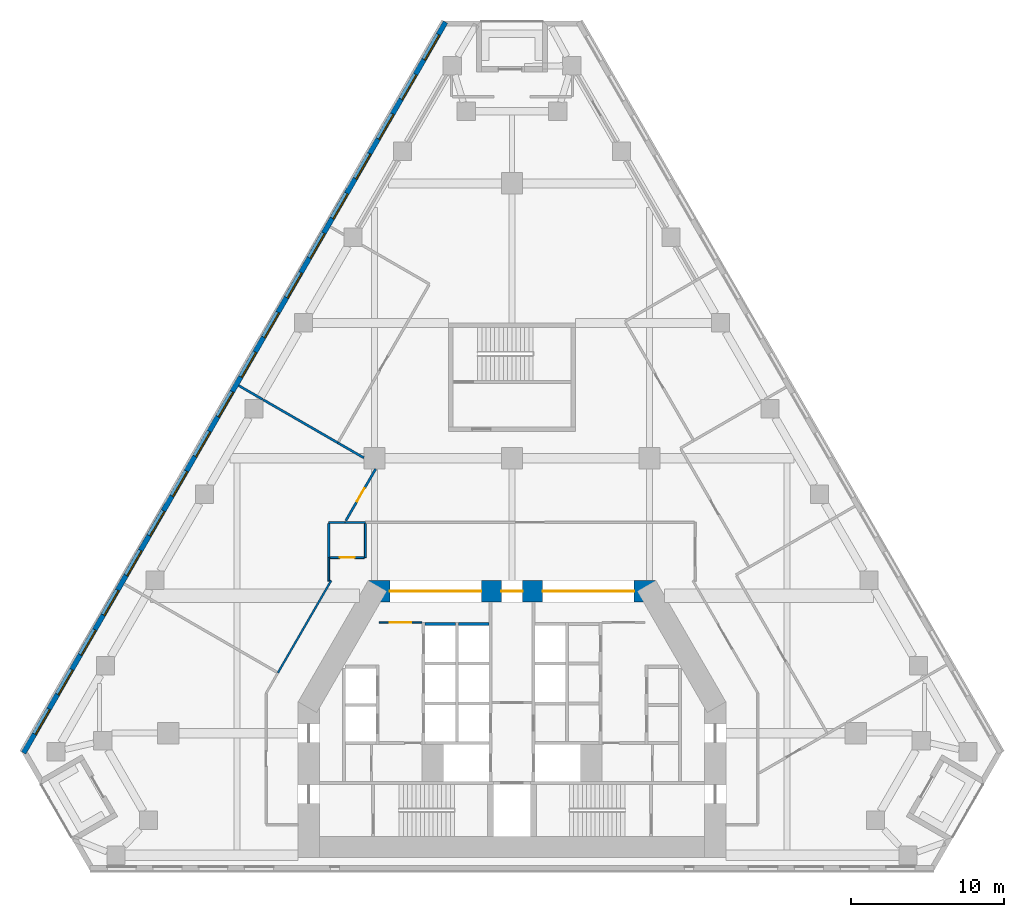
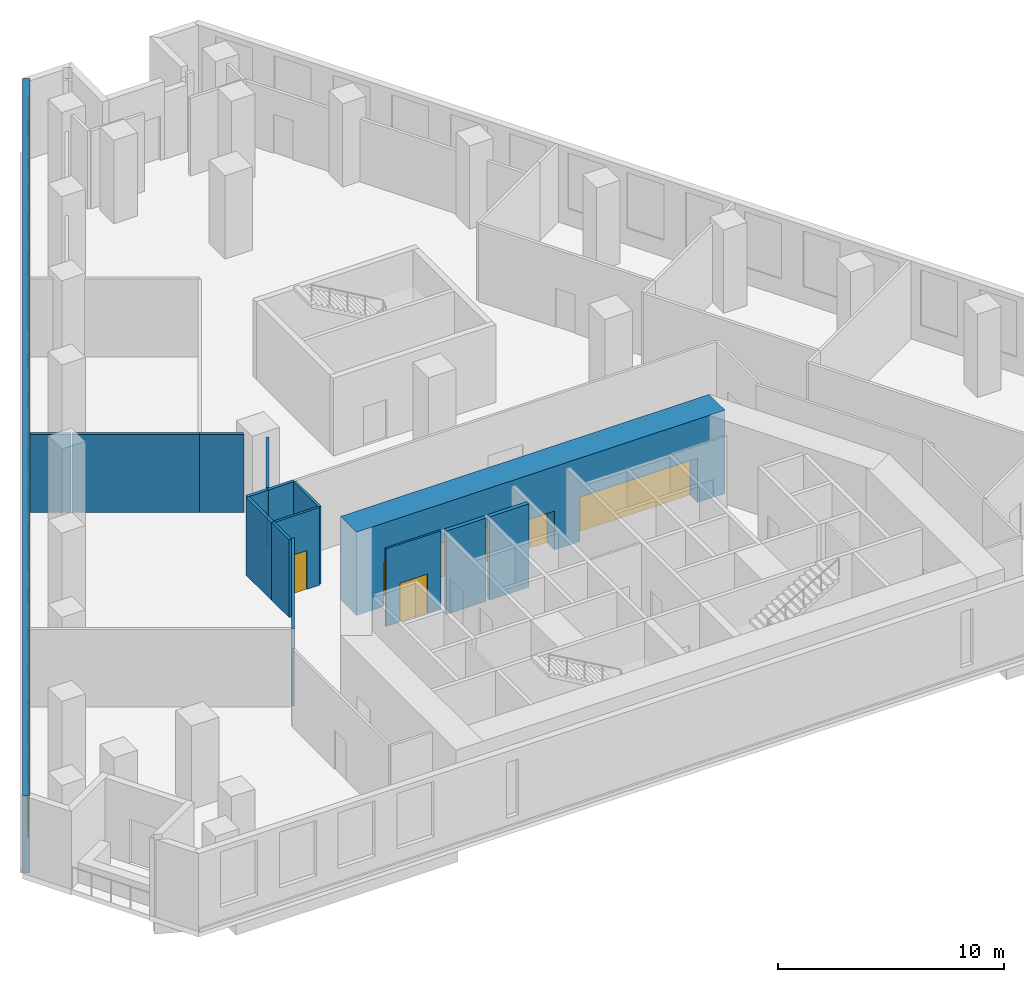
# One storey, part 5 of 10: 18 windows, 16 walls, 6 doors, 24 openings.
"""IFC4 building model written with IfcOpenShell, lengths in metres."""

from ifc_helpers import new_model, si_unit, direction, frame, frame_2d, origin, place, context, subcontext, project, spatial, rectangle, extrude, material, layer, layer_set, type_object, element, fill, save


model = new_model("IFC4")

# Units and contexts
model_context = context("Model", 3, precision=1e-05, world=origin(), true_north=direction((0.0, 1.0)))
body_context = subcontext(model_context, "Body", "Model", "MODEL_VIEW")
ifc_project = project(units=[si_unit("LENGTHUNIT", "METRE"), si_unit("AREAUNIT", "SQUARE_METRE"), si_unit("VOLUMEUNIT", "CUBIC_METRE"), si_unit("PLANEANGLEUNIT", "RADIAN"), si_unit("MASSUNIT", "GRAM", prefix="KILO")], contexts=[model_context])

# Site, building, storey
site_placement = place(None, origin())
site = spatial("IfcSite", under=ifc_project, at=site_placement, CompositionType="ELEMENT")
building_placement = place(site_placement, origin())
building = spatial("IfcBuilding", under=site, at=building_placement, Name="Fogline Exchange Tower", CompositionType="ELEMENT")
storey_placement = place(building_placement, frame((0.0, 0.0, 43.0)))
storey = spatial("IfcBuildingStorey", under=building, at=storey_placement, Name="L08", CompositionType="ELEMENT", Elevation=43.0)

# Wall, opening, door
ifc_material_1 = material(Name="Blockwork partition", Category="masonry")
ifc_layer_1 = layer(ifc_material_1, 0.10009765625)
ifc_layer_set_1 = layer_set([ifc_layer_1], Name="CW10")
wall_type_1 = type_object("IfcWallType", Name="CW10", PredefinedType="PARTITIONING", material=ifc_layer_set_1)
wall_1_placement = place(storey_placement, frame((-8.699951171875, 16.25, 0.0), z_axis=(0.0, 0.0, 1.0), x_axis=(1.0, 0.0, 0.0)))
wall_1 = element("IfcWall", 1, at=wall_1_placement, inside=storey, type_object=wall_type_1, Name="Lift lobby partition", PredefinedType="PARTITIONING", context=body_context, shape_type="SweptSolid", body=[
    extrude(rectangle(XDim=2.800048828125, YDim=0.10009765625, at=frame_2d((1.39990234375, 0.0))), origin(), (0.0, 0.0, 1.0), 4.199951171875),
])
opening_1_placement = place(wall_1_placement, frame((0.699951171875, 0.0, 0.0)))
opening_1 = element("IfcOpeningElement", 2, at=opening_1_placement, cuts=wall_1, Name="Opening T02-C007", PredefinedType="OPENING", context=body_context, shape_type="SweptSolid", body=[
    extrude(rectangle(XDim=1.39990234375, YDim=2.10009765625, at=frame_2d((0.699951171875, 1.050048828125))), frame((0.0, 0.06005859375, 0.0), z_axis=(0.0, -1.0, 0.0), x_axis=(1.0, 0.0, 0.0)), (0.0, 0.0, 1.0), 0.1201171875),
])
ifc_material_2 = material(Name="Steel and timber fire door", Category="steel")
door_type_1 = type_object("IfcDoorType", Name="D-LB1", OperationType="DOUBLE_DOOR_SINGLE_SWING", PredefinedType="DOOR", material=ifc_material_2)
door_1_placement = place(opening_1_placement, origin())
door_1 = element("IfcDoor", 3, at=door_1_placement, inside=storey, type_object=door_type_1, Name="Door to lift lobby", OperationType="DOUBLE_DOOR_SINGLE_SWING", OverallHeight=2.10009765625, OverallWidth=1.39990234375, PredefinedType="DOOR", context=body_context, shape_type="SweptSolid", body=[
    extrude(rectangle(XDim=1.39990234375, YDim=2.10009765625, at=frame_2d((0.699951171875, 1.050048828125))), frame((0.0, 0.02490234375, 0.0), z_axis=(0.0, -1.0, 0.0), x_axis=(1.0, 0.0, 0.0)), (0.0, 0.0, 1.0), 0.050048828125),
])
fill(opening_1, door_1)

# Walls
ifc_material_3 = material(Name="Concrete C40", Category="concrete")
ifc_layer_2 = layer(ifc_material_3, 0.199951171875)
ifc_layer_set_2 = layer_set([ifc_layer_2], Name="CW20S")
wall_type_2 = type_object("IfcWallType", Name="CW20S", PredefinedType="SOLIDWALL", material=ifc_layer_set_2)
for number, where, z_axis, x_axis, name in (
    (4, (-5.699951171875, 16.14990234375, -0.300048828125), (0.0, 0.0, 1.0), (1.0, 0.0, 0.0), "Lift shaft wall"),
    (5, (-3.5, 16.14990234375, -0.300048828125), (0.0, 0.0, 1.0), (1.0, 0.0, 0.0), "Lift shaft wall"),
):
    element("IfcWall", number, at=place(storey_placement, frame(where, z_axis=z_axis, x_axis=x_axis)), inside=storey, type_object=wall_type_2, Name=name, PredefinedType="SOLIDWALL", context=body_context, shape_type="SweptSolid", body=[
        extrude(rectangle(XDim=2.0, YDim=0.199951171875, at=frame_2d((1.0, 0.0))), origin(), (0.0, 0.0, 1.0), 4.5),
    ])

# Wall, openings, windows
ifc_material_4 = material(Name="Brick masonry", Category="masonry")
ifc_layer_3 = layer(ifc_material_4, 0.340087890625)
ifc_layer_set_3 = layer_set([ifc_layer_3], Name="FW1")
wall_type_3 = type_object("IfcWallType", Name="FW1", PredefinedType="SOLIDWALL", material=ifc_layer_set_3)
wall_2_placement = place(storey_placement, frame((-4.352783203125, 55.561767578125, 0.0), z_axis=(0.0, 0.0, 1.0), x_axis=(-0.500000125387, -0.866025331392, 0.0)))
wall_2 = element("IfcWall", 6, at=wall_2_placement, inside=storey, type_object=wall_type_3, Name="Brick wall L08 W", PredefinedType="SOLIDWALL", context=body_context, shape_type="SweptSolid", body=[
    extrude(rectangle(XDim=55.25537109375, YDim=0.340087890625, at=frame_2d((27.627685546875, 0.0))), origin(), (0.0, 0.0, 1.0), 4.199951171875),
])
opening_2_placement = place(wall_2_placement, frame((0.94140625, 0.0, 0.89990234375)))
opening_2 = element("IfcOpeningElement", 7, at=opening_2_placement, cuts=wall_2, Name="Opening W2", PredefinedType="OPENING", context=body_context, shape_type="SweptSolid", body=[
    extrude(rectangle(XDim=1.885009765625, YDim=3.0, at=frame_2d((0.9423828125, 1.5))), frame((0.0, 0.18017578125, 0.0), z_axis=(0.0, -1.0, 0.0), x_axis=(1.0, 0.0, 0.0)), (0.0, 0.0, 1.0), 0.360107421875),
])
opening_3_placement = place(wall_2_placement, frame((3.94140625, 0.0, 0.89990234375)))
opening_3 = element("IfcOpeningElement", 8, at=opening_3_placement, cuts=wall_2, Name="Opening W2", PredefinedType="OPENING", context=body_context, shape_type="SweptSolid", body=[
    extrude(rectangle(XDim=1.885009765625, YDim=3.0, at=frame_2d((0.9423828125, 1.5))), frame((0.0, 0.18017578125, 0.0), z_axis=(0.0, -1.0, 0.0), x_axis=(1.0, 0.0, 0.0)), (0.0, 0.0, 1.0), 0.360107421875),
])
opening_4_placement = place(wall_2_placement, frame((6.94140625, 0.0, 0.89990234375)))
opening_4 = element("IfcOpeningElement", 9, at=opening_4_placement, cuts=wall_2, Name="Opening W2", PredefinedType="OPENING", context=body_context, shape_type="SweptSolid", body=[
    extrude(rectangle(XDim=1.885009765625, YDim=3.0, at=frame_2d((0.9423828125, 1.5))), frame((0.0, 0.18017578125, 0.0), z_axis=(0.0, -1.0, 0.0), x_axis=(1.0, 0.0, 0.0)), (0.0, 0.0, 1.0), 0.360107421875),
])
opening_5_placement = place(wall_2_placement, frame((9.94140625, 0.0, 0.89990234375)))
opening_5 = element("IfcOpeningElement", 10, at=opening_5_placement, cuts=wall_2, Name="Opening W2", PredefinedType="OPENING", context=body_context, shape_type="SweptSolid", body=[
    extrude(rectangle(XDim=1.885009765625, YDim=3.0, at=frame_2d((0.9423828125, 1.5))), frame((0.0, 0.18017578125, 0.0), z_axis=(0.0, -1.0, 0.0), x_axis=(1.0, 0.0, 0.0)), (0.0, 0.0, 1.0), 0.360107421875),
])
opening_6_placement = place(wall_2_placement, frame((12.94140625, 0.0, 0.89990234375)))
opening_6 = element("IfcOpeningElement", 11, at=opening_6_placement, cuts=wall_2, Name="Opening W2", PredefinedType="OPENING", context=body_context, shape_type="SweptSolid", body=[
    extrude(rectangle(XDim=1.885009765625, YDim=3.0, at=frame_2d((0.9423828125, 1.5))), frame((0.0, 0.18017578125, 0.0), z_axis=(0.0, -1.0, 0.0), x_axis=(1.0, 0.0, 0.0)), (0.0, 0.0, 1.0), 0.360107421875),
])
opening_7_placement = place(wall_2_placement, frame((15.94140625, 0.0, 0.89990234375)))
opening_7 = element("IfcOpeningElement", 12, at=opening_7_placement, cuts=wall_2, Name="Opening W2", PredefinedType="OPENING", context=body_context, shape_type="SweptSolid", body=[
    extrude(rectangle(XDim=1.885009765625, YDim=3.0, at=frame_2d((0.9423828125, 1.5))), frame((0.0, 0.18017578125, 0.0), z_axis=(0.0, -1.0, 0.0), x_axis=(1.0, 0.0, 0.0)), (0.0, 0.0, 1.0), 0.360107421875),
])
opening_8_placement = place(wall_2_placement, frame((18.94140625, 0.0, 0.89990234375)))
opening_8 = element("IfcOpeningElement", 13, at=opening_8_placement, cuts=wall_2, Name="Opening W2", PredefinedType="OPENING", context=body_context, shape_type="SweptSolid", body=[
    extrude(rectangle(XDim=1.885009765625, YDim=3.0, at=frame_2d((0.9423828125, 1.5))), frame((0.0, 0.18017578125, 0.0), z_axis=(0.0, -1.0, 0.0), x_axis=(1.0, 0.0, 0.0)), (0.0, 0.0, 1.0), 0.360107421875),
])
opening_9_placement = place(wall_2_placement, frame((21.94140625, 0.0, 0.89990234375)))
opening_9 = element("IfcOpeningElement", 14, at=opening_9_placement, cuts=wall_2, Name="Opening W2", PredefinedType="OPENING", context=body_context, shape_type="SweptSolid", body=[
    extrude(rectangle(XDim=1.885009765625, YDim=3.0, at=frame_2d((0.9423828125, 1.5))), frame((0.0, 0.18017578125, 0.0), z_axis=(0.0, -1.0, 0.0), x_axis=(1.0, 0.0, 0.0)), (0.0, 0.0, 1.0), 0.360107421875),
])
opening_10_placement = place(wall_2_placement, frame((24.94140625, 0.0, 0.89990234375)))
opening_10 = element("IfcOpeningElement", 15, at=opening_10_placement, cuts=wall_2, Name="Opening W2", PredefinedType="OPENING", context=body_context, shape_type="SweptSolid", body=[
    extrude(rectangle(XDim=1.885009765625, YDim=3.0, at=frame_2d((0.9423828125, 1.5))), frame((0.0, 0.18017578125, 0.0), z_axis=(0.0, -1.0, 0.0), x_axis=(1.0, 0.0, 0.0)), (0.0, 0.0, 1.0), 0.360107421875),
])
opening_11_placement = place(wall_2_placement, frame((27.94140625, 0.0, 0.89990234375)))
opening_11 = element("IfcOpeningElement", 16, at=opening_11_placement, cuts=wall_2, Name="Opening W2", PredefinedType="OPENING", context=body_context, shape_type="SweptSolid", body=[
    extrude(rectangle(XDim=1.885009765625, YDim=3.0, at=frame_2d((0.9423828125, 1.5))), frame((0.0, 0.18017578125, 0.0), z_axis=(0.0, -1.0, 0.0), x_axis=(1.0, 0.0, 0.0)), (0.0, 0.0, 1.0), 0.360107421875),
])
opening_12_placement = place(wall_2_placement, frame((30.94140625, 0.0, 0.89990234375)))
opening_12 = element("IfcOpeningElement", 17, at=opening_12_placement, cuts=wall_2, Name="Opening W2", PredefinedType="OPENING", context=body_context, shape_type="SweptSolid", body=[
    extrude(rectangle(XDim=1.885009765625, YDim=3.0, at=frame_2d((0.9423828125, 1.5))), frame((0.0, 0.18017578125, 0.0), z_axis=(0.0, -1.0, 0.0), x_axis=(1.0, 0.0, 0.0)), (0.0, 0.0, 1.0), 0.360107421875),
])
opening_13_placement = place(wall_2_placement, frame((33.94140625, 0.0, 0.89990234375)))
opening_13 = element("IfcOpeningElement", 18, at=opening_13_placement, cuts=wall_2, Name="Opening W2", PredefinedType="OPENING", context=body_context, shape_type="SweptSolid", body=[
    extrude(rectangle(XDim=1.885009765625, YDim=3.0, at=frame_2d((0.9423828125, 1.5))), frame((0.0, 0.18017578125, 0.0), z_axis=(0.0, -1.0, 0.0), x_axis=(1.0, 0.0, 0.0)), (0.0, 0.0, 1.0), 0.360107421875),
])
opening_14_placement = place(wall_2_placement, frame((36.94140625, 0.0, 0.89990234375)))
opening_14 = element("IfcOpeningElement", 19, at=opening_14_placement, cuts=wall_2, Name="Opening W2", PredefinedType="OPENING", context=body_context, shape_type="SweptSolid", body=[
    extrude(rectangle(XDim=1.885009765625, YDim=3.0, at=frame_2d((0.9423828125, 1.5))), frame((0.0, 0.18017578125, 0.0), z_axis=(0.0, -1.0, 0.0), x_axis=(1.0, 0.0, 0.0)), (0.0, 0.0, 1.0), 0.360107421875),
])
opening_15_placement = place(wall_2_placement, frame((39.94140625, 0.0, 0.89990234375)))
opening_15 = element("IfcOpeningElement", 20, at=opening_15_placement, cuts=wall_2, Name="Opening W2", PredefinedType="OPENING", context=body_context, shape_type="SweptSolid", body=[
    extrude(rectangle(XDim=1.885009765625, YDim=3.0, at=frame_2d((0.9423828125, 1.5))), frame((0.0, 0.18017578125, 0.0), z_axis=(0.0, -1.0, 0.0), x_axis=(1.0, 0.0, 0.0)), (0.0, 0.0, 1.0), 0.360107421875),
])
opening_16_placement = place(wall_2_placement, frame((42.94140625, 0.0, 0.89990234375)))
opening_16 = element("IfcOpeningElement", 21, at=opening_16_placement, cuts=wall_2, Name="Opening W2", PredefinedType="OPENING", context=body_context, shape_type="SweptSolid", body=[
    extrude(rectangle(XDim=1.885009765625, YDim=3.0, at=frame_2d((0.9423828125, 1.5))), frame((0.0, 0.18017578125, 0.0), z_axis=(0.0, -1.0, 0.0), x_axis=(1.0, 0.0, 0.0)), (0.0, 0.0, 1.0), 0.360107421875),
])
opening_17_placement = place(wall_2_placement, frame((45.94140625, 0.0, 0.89990234375)))
opening_17 = element("IfcOpeningElement", 22, at=opening_17_placement, cuts=wall_2, Name="Opening W2", PredefinedType="OPENING", context=body_context, shape_type="SweptSolid", body=[
    extrude(rectangle(XDim=1.885009765625, YDim=3.0, at=frame_2d((0.9423828125, 1.5))), frame((0.0, 0.18017578125, 0.0), z_axis=(0.0, -1.0, 0.0), x_axis=(1.0, 0.0, 0.0)), (0.0, 0.0, 1.0), 0.360107421875),
])
opening_18_placement = place(wall_2_placement, frame((48.94140625, 0.0, 0.89990234375)))
opening_18 = element("IfcOpeningElement", 23, at=opening_18_placement, cuts=wall_2, Name="Opening W2", PredefinedType="OPENING", context=body_context, shape_type="SweptSolid", body=[
    extrude(rectangle(XDim=1.885009765625, YDim=3.0, at=frame_2d((0.9423828125, 1.5))), frame((0.0, 0.18017578125, 0.0), z_axis=(0.0, -1.0, 0.0), x_axis=(1.0, 0.0, 0.0)), (0.0, 0.0, 1.0), 0.360107421875),
])
opening_19_placement = place(wall_2_placement, frame((51.94140625, 0.0, 0.89990234375)))
opening_19 = element("IfcOpeningElement", 24, at=opening_19_placement, cuts=wall_2, Name="Opening W2", PredefinedType="OPENING", context=body_context, shape_type="SweptSolid", body=[
    extrude(rectangle(XDim=1.885009765625, YDim=3.0, at=frame_2d((0.9423828125, 1.5))), frame((0.0, 0.18017578125, 0.0), z_axis=(0.0, -1.0, 0.0), x_axis=(1.0, 0.0, 0.0)), (0.0, 0.0, 1.0), 0.360107421875),
])
ifc_material_5 = material(Name="Aluminium and glass", Category="aluminium")
window_type = type_object("IfcWindowType", Name="W2", PartitioningType="SINGLE_PANEL", PredefinedType="WINDOW", material=ifc_material_5)
window_1_placement = place(opening_2_placement, origin())
window_1 = element("IfcWindow", 25, at=window_1_placement, inside=storey, type_object=window_type, Name="W2 W2", OverallHeight=3.0, OverallWidth=1.885009765625, PartitioningType="SINGLE_PANEL", PredefinedType="WINDOW", context=body_context, shape_type="SweptSolid", body=[
    extrude(rectangle(XDim=1.885009765625, YDim=3.0, at=frame_2d((0.9423828125, 1.5))), frame((0.0, 0.110107421875, 0.0), z_axis=(0.0, -1.0, 0.0), x_axis=(1.0, 0.0, 0.0)), (0.0, 0.0, 1.0), 0.06005859375),
])
fill(opening_2, window_1)
window_2_placement = place(opening_3_placement, origin())
window_2 = element("IfcWindow", 26, at=window_2_placement, inside=storey, type_object=window_type, Name="W2 W2", OverallHeight=3.0, OverallWidth=1.885009765625, PartitioningType="SINGLE_PANEL", PredefinedType="WINDOW", context=body_context, shape_type="SweptSolid", body=[
    extrude(rectangle(XDim=1.885009765625, YDim=3.0, at=frame_2d((0.9423828125, 1.5))), frame((0.0, 0.110107421875, 0.0), z_axis=(0.0, -1.0, 0.0), x_axis=(1.0, 0.0, 0.0)), (0.0, 0.0, 1.0), 0.06005859375),
])
fill(opening_3, window_2)
window_3_placement = place(opening_4_placement, origin())
window_3 = element("IfcWindow", 27, at=window_3_placement, inside=storey, type_object=window_type, Name="W2 W2", OverallHeight=3.0, OverallWidth=1.885009765625, PartitioningType="SINGLE_PANEL", PredefinedType="WINDOW", context=body_context, shape_type="SweptSolid", body=[
    extrude(rectangle(XDim=1.885009765625, YDim=3.0, at=frame_2d((0.9423828125, 1.5))), frame((0.0, 0.110107421875, 0.0), z_axis=(0.0, -1.0, 0.0), x_axis=(1.0, 0.0, 0.0)), (0.0, 0.0, 1.0), 0.06005859375),
])
fill(opening_4, window_3)
window_4_placement = place(opening_5_placement, origin())
window_4 = element("IfcWindow", 28, at=window_4_placement, inside=storey, type_object=window_type, Name="W2 W2", OverallHeight=3.0, OverallWidth=1.885009765625, PartitioningType="SINGLE_PANEL", PredefinedType="WINDOW", context=body_context, shape_type="SweptSolid", body=[
    extrude(rectangle(XDim=1.885009765625, YDim=3.0, at=frame_2d((0.9423828125, 1.5))), frame((0.0, 0.110107421875, 0.0), z_axis=(0.0, -1.0, 0.0), x_axis=(1.0, 0.0, 0.0)), (0.0, 0.0, 1.0), 0.06005859375),
])
fill(opening_5, window_4)
window_5_placement = place(opening_6_placement, origin())
window_5 = element("IfcWindow", 29, at=window_5_placement, inside=storey, type_object=window_type, Name="W2 W2", OverallHeight=3.0, OverallWidth=1.885009765625, PartitioningType="SINGLE_PANEL", PredefinedType="WINDOW", context=body_context, shape_type="SweptSolid", body=[
    extrude(rectangle(XDim=1.885009765625, YDim=3.0, at=frame_2d((0.9423828125, 1.5))), frame((0.0, 0.110107421875, 0.0), z_axis=(0.0, -1.0, 0.0), x_axis=(1.0, 0.0, 0.0)), (0.0, 0.0, 1.0), 0.06005859375),
])
fill(opening_6, window_5)
window_6_placement = place(opening_7_placement, origin())
window_6 = element("IfcWindow", 30, at=window_6_placement, inside=storey, type_object=window_type, Name="W2 W2", OverallHeight=3.0, OverallWidth=1.885009765625, PartitioningType="SINGLE_PANEL", PredefinedType="WINDOW", context=body_context, shape_type="SweptSolid", body=[
    extrude(rectangle(XDim=1.885009765625, YDim=3.0, at=frame_2d((0.9423828125, 1.5))), frame((0.0, 0.110107421875, 0.0), z_axis=(0.0, -1.0, 0.0), x_axis=(1.0, 0.0, 0.0)), (0.0, 0.0, 1.0), 0.06005859375),
])
fill(opening_7, window_6)
window_7_placement = place(opening_8_placement, origin())
window_7 = element("IfcWindow", 31, at=window_7_placement, inside=storey, type_object=window_type, Name="W2 W2", OverallHeight=3.0, OverallWidth=1.885009765625, PartitioningType="SINGLE_PANEL", PredefinedType="WINDOW", context=body_context, shape_type="SweptSolid", body=[
    extrude(rectangle(XDim=1.885009765625, YDim=3.0, at=frame_2d((0.9423828125, 1.5))), frame((0.0, 0.110107421875, 0.0), z_axis=(0.0, -1.0, 0.0), x_axis=(1.0, 0.0, 0.0)), (0.0, 0.0, 1.0), 0.06005859375),
])
fill(opening_8, window_7)
window_8_placement = place(opening_9_placement, origin())
window_8 = element("IfcWindow", 32, at=window_8_placement, inside=storey, type_object=window_type, Name="W2 W2", OverallHeight=3.0, OverallWidth=1.885009765625, PartitioningType="SINGLE_PANEL", PredefinedType="WINDOW", context=body_context, shape_type="SweptSolid", body=[
    extrude(rectangle(XDim=1.885009765625, YDim=3.0, at=frame_2d((0.9423828125, 1.5))), frame((0.0, 0.110107421875, 0.0), z_axis=(0.0, -1.0, 0.0), x_axis=(1.0, 0.0, 0.0)), (0.0, 0.0, 1.0), 0.06005859375),
])
fill(opening_9, window_8)
window_9_placement = place(opening_10_placement, origin())
window_9 = element("IfcWindow", 33, at=window_9_placement, inside=storey, type_object=window_type, Name="W2 W2", OverallHeight=3.0, OverallWidth=1.885009765625, PartitioningType="SINGLE_PANEL", PredefinedType="WINDOW", context=body_context, shape_type="SweptSolid", body=[
    extrude(rectangle(XDim=1.885009765625, YDim=3.0, at=frame_2d((0.9423828125, 1.5))), frame((0.0, 0.110107421875, 0.0), z_axis=(0.0, -1.0, 0.0), x_axis=(1.0, 0.0, 0.0)), (0.0, 0.0, 1.0), 0.06005859375),
])
fill(opening_10, window_9)
window_10_placement = place(opening_11_placement, origin())
window_10 = element("IfcWindow", 34, at=window_10_placement, inside=storey, type_object=window_type, Name="W2 W2", OverallHeight=3.0, OverallWidth=1.885009765625, PartitioningType="SINGLE_PANEL", PredefinedType="WINDOW", context=body_context, shape_type="SweptSolid", body=[
    extrude(rectangle(XDim=1.885009765625, YDim=3.0, at=frame_2d((0.9423828125, 1.5))), frame((0.0, 0.110107421875, 0.0), z_axis=(0.0, -1.0, 0.0), x_axis=(1.0, 0.0, 0.0)), (0.0, 0.0, 1.0), 0.06005859375),
])
fill(opening_11, window_10)
window_11_placement = place(opening_12_placement, origin())
window_11 = element("IfcWindow", 35, at=window_11_placement, inside=storey, type_object=window_type, Name="W2 W2", OverallHeight=3.0, OverallWidth=1.885009765625, PartitioningType="SINGLE_PANEL", PredefinedType="WINDOW", context=body_context, shape_type="SweptSolid", body=[
    extrude(rectangle(XDim=1.885009765625, YDim=3.0, at=frame_2d((0.9423828125, 1.5))), frame((0.0, 0.110107421875, 0.0), z_axis=(0.0, -1.0, 0.0), x_axis=(1.0, 0.0, 0.0)), (0.0, 0.0, 1.0), 0.06005859375),
])
fill(opening_12, window_11)
window_12_placement = place(opening_13_placement, origin())
window_12 = element("IfcWindow", 36, at=window_12_placement, inside=storey, type_object=window_type, Name="W2 W2", OverallHeight=3.0, OverallWidth=1.885009765625, PartitioningType="SINGLE_PANEL", PredefinedType="WINDOW", context=body_context, shape_type="SweptSolid", body=[
    extrude(rectangle(XDim=1.885009765625, YDim=3.0, at=frame_2d((0.9423828125, 1.5))), frame((0.0, 0.110107421875, 0.0), z_axis=(0.0, -1.0, 0.0), x_axis=(1.0, 0.0, 0.0)), (0.0, 0.0, 1.0), 0.06005859375),
])
fill(opening_13, window_12)
window_13_placement = place(opening_14_placement, origin())
window_13 = element("IfcWindow", 37, at=window_13_placement, inside=storey, type_object=window_type, Name="W2 W2", OverallHeight=3.0, OverallWidth=1.885009765625, PartitioningType="SINGLE_PANEL", PredefinedType="WINDOW", context=body_context, shape_type="SweptSolid", body=[
    extrude(rectangle(XDim=1.885009765625, YDim=3.0, at=frame_2d((0.9423828125, 1.5))), frame((0.0, 0.110107421875, 0.0), z_axis=(0.0, -1.0, 0.0), x_axis=(1.0, 0.0, 0.0)), (0.0, 0.0, 1.0), 0.06005859375),
])
fill(opening_14, window_13)
window_14_placement = place(opening_15_placement, origin())
window_14 = element("IfcWindow", 38, at=window_14_placement, inside=storey, type_object=window_type, Name="W2 W2", OverallHeight=3.0, OverallWidth=1.885009765625, PartitioningType="SINGLE_PANEL", PredefinedType="WINDOW", context=body_context, shape_type="SweptSolid", body=[
    extrude(rectangle(XDim=1.885009765625, YDim=3.0, at=frame_2d((0.9423828125, 1.5))), frame((0.0, 0.110107421875, 0.0), z_axis=(0.0, -1.0, 0.0), x_axis=(1.0, 0.0, 0.0)), (0.0, 0.0, 1.0), 0.06005859375),
])
fill(opening_15, window_14)
window_15_placement = place(opening_16_placement, origin())
window_15 = element("IfcWindow", 39, at=window_15_placement, inside=storey, type_object=window_type, Name="W2 W2", OverallHeight=3.0, OverallWidth=1.885009765625, PartitioningType="SINGLE_PANEL", PredefinedType="WINDOW", context=body_context, shape_type="SweptSolid", body=[
    extrude(rectangle(XDim=1.885009765625, YDim=3.0, at=frame_2d((0.9423828125, 1.5))), frame((0.0, 0.110107421875, 0.0), z_axis=(0.0, -1.0, 0.0), x_axis=(1.0, 0.0, 0.0)), (0.0, 0.0, 1.0), 0.06005859375),
])
fill(opening_16, window_15)
window_16_placement = place(opening_17_placement, origin())
window_16 = element("IfcWindow", 40, at=window_16_placement, inside=storey, type_object=window_type, Name="W2 W2", OverallHeight=3.0, OverallWidth=1.885009765625, PartitioningType="SINGLE_PANEL", PredefinedType="WINDOW", context=body_context, shape_type="SweptSolid", body=[
    extrude(rectangle(XDim=1.885009765625, YDim=3.0, at=frame_2d((0.9423828125, 1.5))), frame((0.0, 0.110107421875, 0.0), z_axis=(0.0, -1.0, 0.0), x_axis=(1.0, 0.0, 0.0)), (0.0, 0.0, 1.0), 0.06005859375),
])
fill(opening_17, window_16)
window_17_placement = place(opening_18_placement, origin())
window_17 = element("IfcWindow", 41, at=window_17_placement, inside=storey, type_object=window_type, Name="W2 W2", OverallHeight=3.0, OverallWidth=1.885009765625, PartitioningType="SINGLE_PANEL", PredefinedType="WINDOW", context=body_context, shape_type="SweptSolid", body=[
    extrude(rectangle(XDim=1.885009765625, YDim=3.0, at=frame_2d((0.9423828125, 1.5))), frame((0.0, 0.110107421875, 0.0), z_axis=(0.0, -1.0, 0.0), x_axis=(1.0, 0.0, 0.0)), (0.0, 0.0, 1.0), 0.06005859375),
])
fill(opening_18, window_17)
window_18_placement = place(opening_19_placement, origin())
window_18 = element("IfcWindow", 42, at=window_18_placement, inside=storey, type_object=window_type, Name="W2 W2", OverallHeight=3.0, OverallWidth=1.885009765625, PartitioningType="SINGLE_PANEL", PredefinedType="WINDOW", context=body_context, shape_type="SweptSolid", body=[
    extrude(rectangle(XDim=1.885009765625, YDim=3.0, at=frame_2d((0.9423828125, 1.5))), frame((0.0, 0.110107421875, 0.0), z_axis=(0.0, -1.0, 0.0), x_axis=(1.0, 0.0, 0.0)), (0.0, 0.0, 1.0), 0.06005859375),
])
fill(opening_19, window_18)

# Wall
ifc_material_6 = material(Name="Plasterboard corridor partition with mineral wool, 2 layers each side")
ifc_layer_4 = layer(ifc_material_6, 0.125)
ifc_layer_set_4 = layer_set([ifc_layer_4], Name="PW2")
wall_type_4 = type_object("IfcWallType", Name="PW2", PredefinedType="PARTITIONING", material=ifc_layer_set_4)
wall_3_placement = place(storey_placement, frame((-12.0, 18.94921875, 0.0), z_axis=(0.0, 0.0, 1.0), x_axis=(0.0, 1.0, 0.0)))
element("IfcWall", 43, at=wall_3_placement, inside=storey, type_object=wall_type_4, Name="wall-L08-W007", PredefinedType="PARTITIONING", context=body_context, shape_type="SweptSolid", body=[
    extrude(rectangle(XDim=1.55078125, YDim=0.125, at=frame_2d((0.775390625, 0.0))), origin(), (0.0, 0.0, 1.0), 4.199951171875),
])

# Wall, opening, door
wall_4_placement = place(storey_placement, frame((-11.925048828125, 20.5, 0.0), z_axis=(0.0, 0.0, 1.0), x_axis=(1.0, 0.0, 0.0)))
wall_4 = element("IfcWall", 44, at=wall_4_placement, inside=storey, type_object=wall_type_4, Name="wall-L08-W008", PredefinedType="PARTITIONING", context=body_context, shape_type="SweptSolid", body=[
    extrude(rectangle(XDim=2.262451171875, YDim=0.125, at=frame_2d((1.13134765625, 0.0))), origin(), (0.0, 0.0, 1.0), 4.199951171875),
])
opening_20_placement = place(wall_4_placement, frame((0.63134765625, 0.0, 0.0)))
opening_20 = element("IfcOpeningElement", 45, at=opening_20_placement, cuts=wall_4, Name="Opening T02-D004", PredefinedType="OPENING", context=body_context, shape_type="SweptSolid", body=[
    extrude(rectangle(XDim=1.0, YDim=2.10009765625, at=frame_2d((0.5, 1.050048828125))), frame((0.0, 0.072509765625, 0.0), z_axis=(0.0, -1.0, 0.0), x_axis=(1.0, 0.0, 0.0)), (0.0, 0.0, 1.0), 0.14501953125),
])
ifc_material_7 = material(Name="Fire-rated timber door leaf with steel frame", Category="steel")
door_type_2 = type_object("IfcDoorType", Name="D3", OperationType="SINGLE_SWING_LEFT", PredefinedType="DOOR", material=ifc_material_7)
door_2_placement = place(opening_20_placement, origin())
door_2 = element("IfcDoor", 46, at=door_2_placement, inside=storey, type_object=door_type_2, Name="door-L08-D004", OperationType="SINGLE_SWING_LEFT", OverallHeight=2.10009765625, OverallWidth=1.0, PredefinedType="DOOR", context=body_context, shape_type="SweptSolid", body=[
    extrude(rectangle(XDim=1.0, YDim=2.10009765625, at=frame_2d((0.5, 1.050048828125))), frame((0.0, 0.02490234375, 0.0), z_axis=(0.0, -1.0, 0.0), x_axis=(1.0, 0.0, 0.0)), (0.0, 0.0, 1.0), 0.050048828125),
])
fill(opening_20, door_2)

# Walls
wall_5_placement = place(storey_placement, frame((-9.60009765625, 20.5, 0.0), z_axis=(0.0, 0.0, 1.0), x_axis=(0.0, 1.0, 0.0)))
element("IfcWall", 47, at=wall_5_placement, inside=storey, type_object=wall_type_4, Name="wall-L08-W009", PredefinedType="PARTITIONING", context=body_context, shape_type="SweptSolid", body=[
    extrude(rectangle(XDim=2.224609375, YDim=0.125, at=frame_2d((1.1123046875, 0.0))), origin(), (0.0, 0.0, 1.0), 4.199951171875),
])
wall_6_placement = place(storey_placement, frame((-15.32568359375, 12.956298828125, 0.0), z_axis=(0.0, 0.0, 1.0), x_axis=(0.499991973402, 0.866030037893, 0.0)))
element("IfcWall", 48, at=wall_6_placement, inside=storey, type_object=wall_type_4, Name="wall-L08-W010", PredefinedType="PARTITIONING", context=body_context, shape_type="SweptSolid", body=[
    extrude(rectangle(XDim=6.978515625, YDim=0.125, at=frame_2d((3.4892578125, 0.0))), origin(), (0.0, 0.0, 1.0), 4.199951171875),
])

# Wall, opening, door
ifc_material_8 = material(Name="Plasterboard demising partition with mineral wool and acoustic board")
ifc_layer_5 = layer(ifc_material_8, 0.14990234375)
ifc_layer_set_5 = layer_set([ifc_layer_5], Name="PW3")
wall_type_5 = type_object("IfcWallType", Name="PW3", PredefinedType="PARTITIONING", material=ifc_layer_set_5)
wall_7_placement = place(storey_placement, frame((-10.8818359375, 22.912841796875, 0.0), z_axis=(0.0, 0.0, 1.0), x_axis=(0.499992620187, 0.866029664479, 0.0)))
wall_7 = element("IfcWall", 49, at=wall_7_placement, inside=storey, type_object=wall_type_5, Name="wall-L08-W033", PredefinedType="PARTITIONING", context=body_context, shape_type="SweptSolid", body=[
    extrude(rectangle(XDim=3.9111328125, YDim=0.14990234375, at=frame_2d((1.95556640625, 0.0))), origin(), (0.0, 0.0, 1.0), 4.199951171875),
])
opening_21_placement = place(wall_7_placement, frame((1.45556640625, 0.0, 0.0)))
opening_21 = element("IfcOpeningElement", 50, at=opening_21_placement, cuts=wall_7, Name="Opening T02-D010", PredefinedType="OPENING", context=body_context, shape_type="SweptSolid", body=[
    extrude(rectangle(XDim=1.0, YDim=2.10009765625, at=frame_2d((0.5, 1.050048828125))), frame((0.0, 0.0849609375, 0.0), z_axis=(0.0, -1.0, 0.0), x_axis=(1.0, 0.0, 0.0)), (0.0, 0.0, 1.0), 0.169921875),
])
door_3_placement = place(opening_21_placement, origin())
door_3 = element("IfcDoor", 51, at=door_3_placement, inside=storey, type_object=door_type_2, Name="door-L08-D010", OperationType="SINGLE_SWING_RIGHT", OverallHeight=2.10009765625, OverallWidth=1.0, PredefinedType="DOOR", context=body_context, shape_type="SweptSolid", body=[
    extrude(rectangle(XDim=1.0, YDim=2.10009765625, at=frame_2d((0.5, 1.050048828125))), frame((0.0, 0.02490234375, 0.0), z_axis=(0.0, -1.0, 0.0), x_axis=(1.0, 0.0, 0.0)), (0.0, 0.0, 1.0), 0.050048828125),
])
fill(opening_21, door_3)

# Walls
wall_8_placement = place(storey_placement, frame((-9.699951171875, 27.02880859375, 0.0), z_axis=(0.0, 0.0, 1.0), x_axis=(-0.866071836663, 0.499919567269, 0.0)))
element("IfcWall", 52, at=wall_8_placement, inside=storey, type_object=wall_type_5, Name="wall-L08-W034", PredefinedType="PARTITIONING", context=body_context, shape_type="SweptSolid", body=[
    extrude(rectangle(XDim=1.965576171875, YDim=0.14990234375, at=frame_2d((0.98291015625, 0.0))), origin(), (0.0, 0.0, 1.0), 4.199951171875),
])
wall_9_placement = place(storey_placement, frame((-9.60009765625, 22.800048828125, 0.0), z_axis=(0.0, 0.0, 1.0), x_axis=(-1.0, 0.0, 0.0)))
element("IfcWall", 53, at=wall_9_placement, inside=storey, type_object=wall_type_5, Name="wall-L08-W035", PredefinedType="PARTITIONING", context=body_context, shape_type="SweptSolid", body=[
    extrude(rectangle(XDim=1.346923828125, YDim=0.14990234375, at=frame_2d((0.67333984375, 0.0))), origin(), (0.0, 0.0, 1.0), 4.199951171875),
])
wall_10_placement = place(storey_placement, frame((-11.40234375, 28.011474609375, 0.0), z_axis=(0.0, 0.0, 1.0), x_axis=(-0.866022037983, 0.500005829693, 0.0)))
element("IfcWall", 54, at=wall_10_placement, inside=storey, type_object=wall_type_5, Name="wall-L08-W040", PredefinedType="PARTITIONING", context=body_context, shape_type="SweptSolid", body=[
    extrude(rectangle(XDim=5.64306640625, YDim=0.14990234375, at=frame_2d((2.821533203125, 0.0))), origin(), (0.0, 0.0, 1.0), 4.199951171875),
])
wall_11_placement = place(storey_placement, frame((-16.32373046875, 30.852783203125, 0.0), z_axis=(0.0, 0.0, 1.0), x_axis=(-0.866002123639, 0.500040320227, 0.0)))
element("IfcWall", 55, at=wall_11_placement, inside=storey, type_object=wall_type_5, Name="wall-L08-W041", PredefinedType="PARTITIONING", context=body_context, shape_type="SweptSolid", body=[
    extrude(rectangle(XDim=1.817138671875, YDim=0.14990234375, at=frame_2d((0.90869140625, 0.0))), origin(), (0.0, 0.0, 1.0), 4.199951171875),
])
wall_12_placement = place(storey_placement, frame((-10.947021484375, 22.800048828125, 0.0), z_axis=(0.0, 0.0, 1.0), x_axis=(-1.0, 0.0, 0.0)))
element("IfcWall", 56, at=wall_12_placement, inside=storey, type_object=wall_type_5, Name="wall-L08-W042", PredefinedType="PARTITIONING", context=body_context, shape_type="SweptSolid", body=[
    extrude(rectangle(XDim=1.052978515625, YDim=0.14990234375, at=frame_2d((0.5263671875, 0.0))), origin(), (0.0, 0.0, 1.0), 4.199951171875),
])
wall_13_placement = place(storey_placement, frame((-12.0, 22.72509765625, 0.0), z_axis=(0.0, 0.0, 1.0), x_axis=(0.0, -1.0, 0.0)))
element("IfcWall", 57, at=wall_13_placement, inside=storey, type_object=wall_type_5, Name="wall-L08-W043", PredefinedType="PARTITIONING", context=body_context, shape_type="SweptSolid", body=[
    extrude(rectangle(XDim=2.22509765625, YDim=0.14990234375, at=frame_2d((1.112548828125, 0.0))), origin(), (0.0, 0.0, 1.0), 4.199951171875),
])

# Wall, openings, doors
ifc_material_9 = material(Name="Concrete C60", Category="concrete")
ifc_layer_6 = layer(ifc_material_9, 1.39990234375)
ifc_layer_set_6 = layer_set([ifc_layer_6], Name="SW01")
wall_type_6 = type_object("IfcWallType", Name="SW01", PredefinedType="SHEAR", material=ifc_layer_set_6)
wall_14_placement = place(storey_placement, frame((9.41162109375, 18.300048828125, 0.0), z_axis=(0.0, 0.0, 1.0), x_axis=(-1.0, 0.0, 0.0)))
wall_14 = element("IfcWall", 58, at=wall_14_placement, inside=storey, type_object=wall_type_6, Name="L08-W904", PredefinedType="SHEAR", context=body_context, shape_type="SweptSolid", body=[
    extrude(rectangle(XDim=18.8232421875, YDim=1.39990234375, at=frame_2d((9.41162109375, 0.0))), origin(), (0.0, 0.0, 1.0), 4.5),
])
opening_22_placement = place(wall_14_placement, frame((8.71142578125, 0.0, 0.0)))
opening_22 = element("IfcOpeningElement", 59, at=opening_22_placement, cuts=wall_14, Name="Opening T02-C020", PredefinedType="OPENING", context=body_context, shape_type="SweptSolid", body=[
    extrude(rectangle(XDim=1.39990234375, YDim=2.10009765625, at=frame_2d((0.699951171875, 1.050048828125))), frame((0.0, 0.7099609375, 0.0), z_axis=(0.0, -1.0, 0.0), x_axis=(1.0, 0.0, 0.0)), (0.0, 0.0, 1.0), 1.419921875),
])
opening_23_placement = place(wall_14_placement, frame((11.41162109375, 0.0, 0.0)))
opening_23 = element("IfcOpeningElement", 60, at=opening_23_placement, cuts=wall_14, Name="Opening T02-C021", PredefinedType="OPENING", context=body_context, shape_type="SweptSolid", body=[
    extrude(rectangle(XDim=6.0, YDim=2.39990234375, at=frame_2d((3.0, 1.199951171875))), frame((0.0, 0.7099609375, 0.0), z_axis=(0.0, -1.0, 0.0), x_axis=(1.0, 0.0, 0.0)), (0.0, 0.0, 1.0), 1.419921875),
])
opening_24_placement = place(wall_14_placement, frame((1.41162109375, 0.0, 0.0)))
opening_24 = element("IfcOpeningElement", 61, at=opening_24_placement, cuts=wall_14, Name="Opening T02-C022", PredefinedType="OPENING", context=body_context, shape_type="SweptSolid", body=[
    extrude(rectangle(XDim=6.0, YDim=2.39990234375, at=frame_2d((3.0, 1.199951171875))), frame((0.0, 0.7099609375, 0.0), z_axis=(0.0, -1.0, 0.0), x_axis=(1.0, 0.0, 0.0)), (0.0, 0.0, 1.0), 1.419921875),
])
door_4_placement = place(opening_22_placement, origin())
door_4 = element("IfcDoor", 62, at=door_4_placement, inside=storey, type_object=door_type_1, Name="Protected lobby door", OperationType="DOUBLE_DOOR_SINGLE_SWING", OverallHeight=2.10009765625, OverallWidth=1.39990234375, PredefinedType="DOOR", context=body_context, shape_type="SweptSolid", body=[
    extrude(rectangle(XDim=1.39990234375, YDim=2.10009765625, at=frame_2d((0.699951171875, 1.050048828125))), frame((0.0, 0.02490234375, 0.0), z_axis=(0.0, -1.0, 0.0), x_axis=(1.0, 0.0, 0.0)), (0.0, 0.0, 1.0), 0.050048828125),
])
fill(opening_22, door_4)
door_type_3 = type_object("IfcDoorType", Name="D-LE1", OperationType="DOUBLE_DOOR_SLIDING", PredefinedType="DOOR", material=ifc_material_2)
door_5_placement = place(opening_23_placement, origin())
door_5 = element("IfcDoor", 63, at=door_5_placement, inside=storey, type_object=door_type_3, Name="Lift lobby entrance west", OperationType="DOUBLE_DOOR_SLIDING", OverallHeight=2.39990234375, OverallWidth=6.0, PredefinedType="DOOR", context=body_context, shape_type="SweptSolid", body=[
    extrude(rectangle(XDim=6.0, YDim=2.39990234375, at=frame_2d((3.0, 1.199951171875))), frame((0.0, 0.02490234375, 0.0), z_axis=(0.0, -1.0, 0.0), x_axis=(1.0, 0.0, 0.0)), (0.0, 0.0, 1.0), 0.050048828125),
])
fill(opening_23, door_5)
door_6_placement = place(opening_24_placement, origin())
door_6 = element("IfcDoor", 64, at=door_6_placement, inside=storey, type_object=door_type_3, Name="Lift lobby entrance east", OperationType="DOUBLE_DOOR_SLIDING", OverallHeight=2.39990234375, OverallWidth=6.0, PredefinedType="DOOR", context=body_context, shape_type="SweptSolid", body=[
    extrude(rectangle(XDim=6.0, YDim=2.39990234375, at=frame_2d((3.0, 1.199951171875))), frame((0.0, 0.02490234375, 0.0), z_axis=(0.0, -1.0, 0.0), x_axis=(1.0, 0.0, 0.0)), (0.0, 0.0, 1.0), 0.050048828125),
])
fill(opening_24, door_6)

save(model, "model.ifc")
